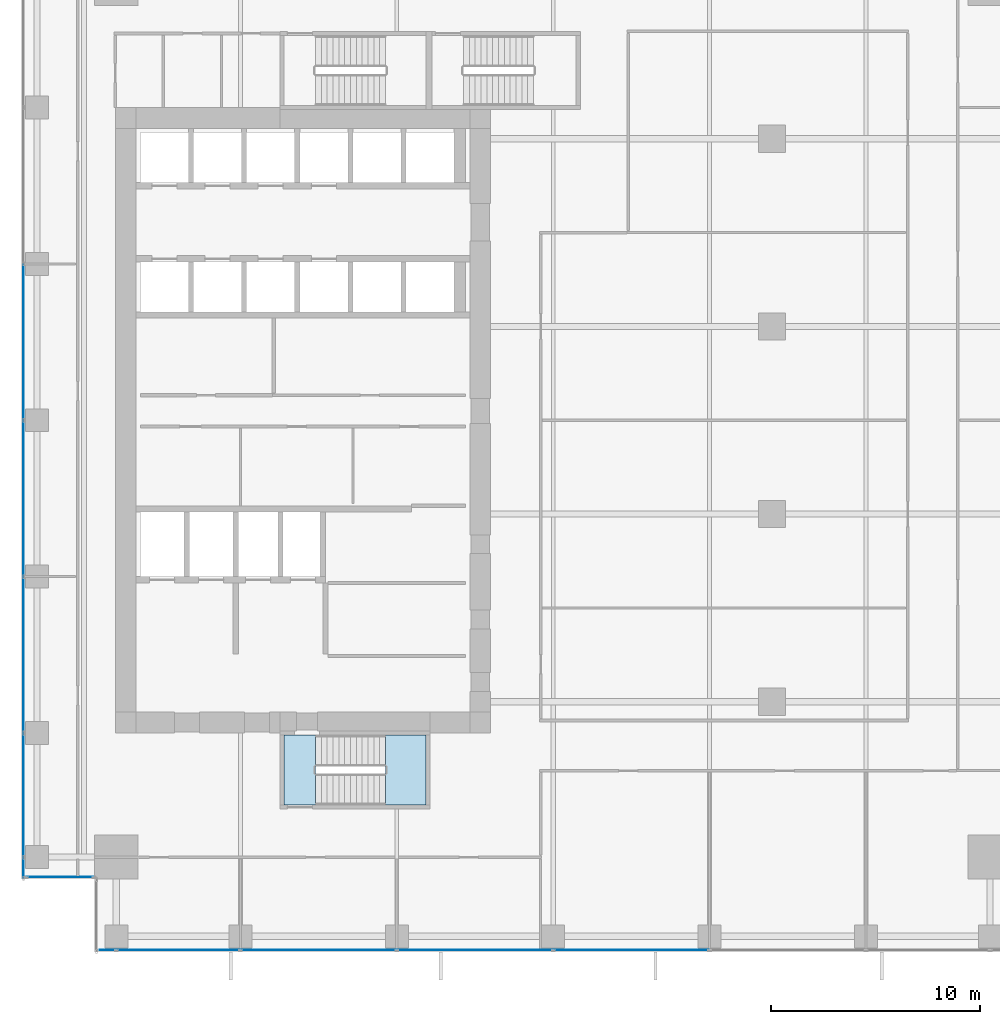
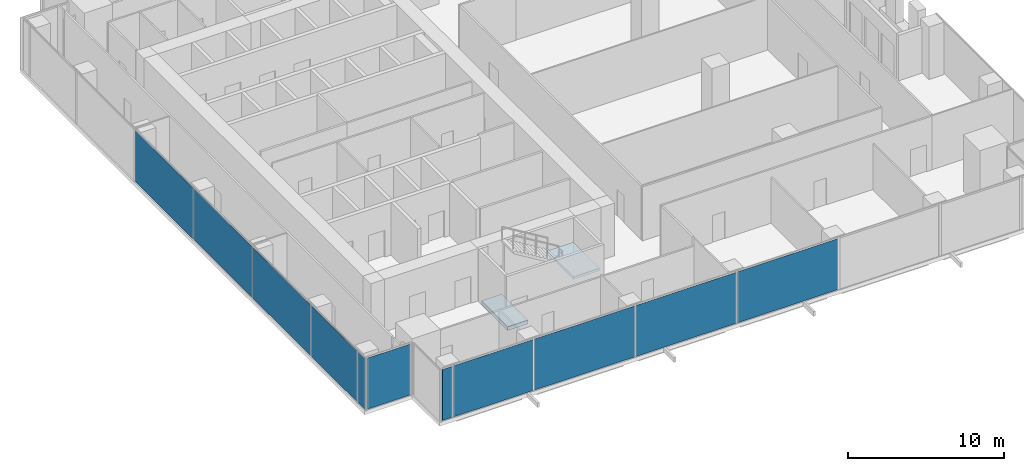
# One storey, part 23 of 34: 11 plates, 2 slabs, 4 elements without a shape of their own.
"""IFC4 building model written with IfcOpenShell, lengths in metres."""

from ifc_helpers import new_model, si_unit, direction, frame, origin, origin_2d, place, context, subcontext, project, spatial, polyline, rectangle, outline, extrude, source, transform, mapped, material, layer, layer_set, type_object, element, aggregate, save


model = new_model("IFC4")

# Units and contexts
model_context = context("Model", 3, precision=1e-05, world=origin(), true_north=direction((0.0, 1.0)))
body_context = subcontext(model_context, "Body", "Model", "MODEL_VIEW")
ifc_project = project(units=[si_unit("LENGTHUNIT", "METRE"), si_unit("AREAUNIT", "SQUARE_METRE"), si_unit("VOLUMEUNIT", "CUBIC_METRE"), si_unit("PLANEANGLEUNIT", "RADIAN"), si_unit("MASSUNIT", "GRAM", prefix="KILO")], contexts=[model_context])

# Site, building, storey
site_placement = place(None, origin())
site = spatial("IfcSite", under=ifc_project, at=site_placement, CompositionType="ELEMENT")
building_placement = place(site_placement, origin())
building = spatial("IfcBuilding", under=site, at=building_placement, Name="Khomas Fold Tower", CompositionType="ELEMENT")
storey_placement = place(building_placement, frame((0.0, 0.0, 110.300048828125)))
storey = spatial("IfcBuildingStorey", under=building, at=storey_placement, Name="L23", CompositionType="ELEMENT", Elevation=110.300048828125)

# Curtain wall, plates
ifc_material_1 = material(Name="Aluminium framed double glazing", Category="aluminium")
curtain_wall_type = type_object("IfcCurtainWallType", Name="SK-Unitised clear-glass wall, growing floors CW1", PredefinedType="NOTDEFINED", material=ifc_material_1)
curtain_wall_1_placement = place(storey_placement, origin())
curtain_wall_1 = element("IfcCurtainWall", 1, at=curtain_wall_1_placement, inside=storey, type_object=curtain_wall_type, Name="CW1 run L23 00-0", PredefinedType="NOTDEFINED")
ifc_material_2 = material(Name="Clear double glazed unit")
ifc_layer_1 = layer(ifc_material_2, 0.031982421875)
ifc_layer_set_1 = layer_set([ifc_layer_1], Name="Clear double glazed unit")
plate_type = type_object("IfcPlateType", Name="SK-Unitised clear-glass wall, growing floors glass panel CW1-P", PredefinedType="CURTAIN_PANEL", material=ifc_layer_set_1)
shared_shape_1 = source(origin(), body_context, "Body", "SweptSolid", [
    extrude(rectangle(XDim=0.760009765625, YDim=0.031982421875, at=origin_2d()), origin(), (0.0, 0.0, 1.0), 3.97998046875),
])
plate_1_placement = place(storey_placement, frame((5.639892578125, 1.60009765625, 0.0), z_axis=(0.0, 0.0, 1.0), x_axis=(1.0, 0.0, 0.0)))
plate_1 = element("IfcPlate", 2, at=plate_1_placement, type_object=plate_type, Name="CW1 glass panel 1", PredefinedType="CURTAIN_PANEL", context=body_context, shape_type="MappedRepresentation", body=[
    mapped(shared_shape_1, transform((0.0, 0.0, 0.0))),
])
shared_shape_2 = source(origin(), body_context, "Body", "SweptSolid", [
    extrude(rectangle(XDim=5.889892578125, YDim=0.031982421875, at=origin_2d()), origin(), (0.0, 0.0, 1.0), 3.97998046875),
])
plate_2_placement = place(storey_placement, frame((9.02490234375, 1.60009765625, 0.0), z_axis=(0.0, 0.0, 1.0), x_axis=(1.0, 0.0, 0.0)))
plate_2 = element("IfcPlate", 3, at=plate_2_placement, type_object=plate_type, Name="CW1 glass panel 2", PredefinedType="CURTAIN_PANEL", context=body_context, shape_type="MappedRepresentation", body=[
    mapped(shared_shape_2, transform((0.0, 0.0, 0.0))),
])

# Curtain wall, plate
curtain_wall_2_placement = place(storey_placement, origin())
curtain_wall_2 = element("IfcCurtainWall", 4, at=curtain_wall_2_placement, inside=storey, type_object=curtain_wall_type, Name="CW1 run L23 09-0", PredefinedType="NOTDEFINED")
plate_3_placement = place(storey_placement, frame((1.60009765625, 9.02490234375, 0.0), z_axis=(0.0, 0.0, 1.0), x_axis=(0.0, -1.0, 0.0)))
plate_3 = element("IfcPlate", 5, at=plate_3_placement, type_object=plate_type, Name="CW1 glass panel 7", PredefinedType="CURTAIN_PANEL", context=body_context, shape_type="MappedRepresentation", body=[
    mapped(shared_shape_2, transform((0.0, 0.0, 0.0))),
])

# Plate
shared_shape_3 = source(origin(), body_context, "Body", "SweptSolid", [
    extrude(rectangle(XDim=7.43994140625, YDim=0.031982421875, at=origin_2d()), origin(), (0.0, 0.0, 1.0), 3.97998046875),
])
plate_4_placement = place(storey_placement, frame((15.75, 1.60009765625, 0.0), z_axis=(0.0, 0.0, 1.0), x_axis=(1.0, 0.0, 0.0)))
plate_4 = element("IfcPlate", 6, at=plate_4_placement, type_object=plate_type, Name="CW1 glass panel 3", PredefinedType="CURTAIN_PANEL", context=body_context, shape_type="MappedRepresentation", body=[
    mapped(shared_shape_3, transform((0.0, 0.0, 0.0))),
])

plate_5_placement = place(storey_placement, frame((23.25, 1.60009765625, 0.0), z_axis=(0.0, 0.0, 1.0), x_axis=(1.0, 0.0, 0.0)))
plate_5 = element("IfcPlate", 7, at=plate_5_placement, type_object=plate_type, Name="CW1 glass panel 4", PredefinedType="CURTAIN_PANEL", context=body_context, shape_type="MappedRepresentation", body=[
    mapped(shared_shape_3, transform((0.0, 0.0, 0.0))),
])

plate_6_placement = place(storey_placement, frame((30.75, 1.60009765625, 0.0), z_axis=(0.0, 0.0, 1.0), x_axis=(1.0, 0.0, 0.0)))
plate_6 = element("IfcPlate", 8, at=plate_6_placement, type_object=plate_type, Name="CW1 glass panel 5", PredefinedType="CURTAIN_PANEL", context=body_context, shape_type="MappedRepresentation", body=[
    mapped(shared_shape_3, transform((0.0, 0.0, 0.0))),
])

aggregate(curtain_wall_1, [plate_1, plate_2, plate_4, plate_5, plate_6])

plate_7_placement = place(storey_placement, frame((1.60009765625, 30.75, 0.0), z_axis=(0.0, 0.0, 1.0), x_axis=(0.0, -1.0, 0.0)))
plate_7 = element("IfcPlate", 9, at=plate_7_placement, type_object=plate_type, Name="CW1 glass panel 4", PredefinedType="CURTAIN_PANEL", context=body_context, shape_type="MappedRepresentation", body=[
    mapped(shared_shape_3, transform((0.0, 0.0, 0.0))),
])

plate_8_placement = place(storey_placement, frame((1.60009765625, 23.25, 0.0), z_axis=(0.0, 0.0, 1.0), x_axis=(0.0, -1.0, 0.0)))
plate_8 = element("IfcPlate", 10, at=plate_8_placement, type_object=plate_type, Name="CW1 glass panel 5", PredefinedType="CURTAIN_PANEL", context=body_context, shape_type="MappedRepresentation", body=[
    mapped(shared_shape_3, transform((0.0, 0.0, 0.0))),
])

plate_9_placement = place(storey_placement, frame((1.60009765625, 15.75, 0.0), z_axis=(0.0, 0.0, 1.0), x_axis=(0.0, -1.0, 0.0)))
plate_9 = element("IfcPlate", 11, at=plate_9_placement, type_object=plate_type, Name="CW1 glass panel 6", PredefinedType="CURTAIN_PANEL", context=body_context, shape_type="MappedRepresentation", body=[
    mapped(shared_shape_3, transform((0.0, 0.0, 0.0))),
])

shared_shape_4 = source(origin(), body_context, "Body", "SweptSolid", [
    extrude(rectangle(XDim=0.9599609375, YDim=0.031982421875, at=origin_2d()), origin(), (0.0, 0.0, 1.0), 3.97998046875),
])
plate_10_placement = place(storey_placement, frame((1.60009765625, 5.5400390625, 0.0), z_axis=(0.0, 0.0, 1.0), x_axis=(0.0, -1.0, 0.0)))
plate_10 = element("IfcPlate", 12, at=plate_10_placement, type_object=plate_type, Name="CW1 glass panel 8", PredefinedType="CURTAIN_PANEL", context=body_context, shape_type="MappedRepresentation", body=[
    mapped(shared_shape_4, transform((0.0, 0.0, 0.0))),
])

aggregate(curtain_wall_2, [plate_7, plate_8, plate_9, plate_3, plate_10])

# Curtain wall, plate
curtain_wall_3_placement = place(storey_placement, origin())
curtain_wall_3 = element("IfcCurtainWall", 13, at=curtain_wall_3_placement, inside=storey, type_object=curtain_wall_type, Name="CW1 corner return L23 10", PredefinedType="NOTDEFINED")
shared_shape_5 = source(origin(), body_context, "Body", "SweptSolid", [
    extrude(rectangle(XDim=3.179931640625, YDim=0.031982421875, at=origin_2d()), origin(), (0.0, 0.0, 1.0), 3.97998046875),
])
plate_11_placement = place(storey_placement, frame((3.35009765625, 5.10009765625, 0.0), z_axis=(0.0, 0.0, 1.0), x_axis=(1.0, 0.0, 0.0)))
plate_11 = element("IfcPlate", 14, at=plate_11_placement, type_object=plate_type, Name="CW1 glass panel 1", PredefinedType="CURTAIN_PANEL", context=body_context, shape_type="MappedRepresentation", body=[
    mapped(shared_shape_5, transform((0.0, 0.0, 0.0))),
])
aggregate(curtain_wall_3, [plate_11])

# Stair, slab
ifc_material_3 = material(Name="Concrete C40/50", Category="concrete")
stair_type = type_object("IfcStairType", Name="Stair ST2", PredefinedType="HALF_TURN_STAIR", material=ifc_material_3)
stair_placement = place(storey_placement, origin())
stair = element("IfcStair", 15, at=stair_placement, inside=storey, type_object=stair_type, Name="L23 ST2", PredefinedType="HALF_TURN_STAIR")
ifc_material_4 = material(Name="Concrete C40/50", Category="concrete")
ifc_layer_2 = layer(ifc_material_4, 0.199951171875)
ifc_layer_set_2 = layer_set([ifc_layer_2], Name="Concrete C40/50")
slab_type_1 = type_object("IfcSlabType", Name="Stair landing 200", PredefinedType="LANDING", material=ifc_layer_set_2)
shared_shape_6 = source(origin(), body_context, "Body", "SweptSolid", [
    extrude(outline(polyline([(18.9599609375, 8.550048828125), (20.89990234375, 8.550048828125), (20.89990234375, 11.89990234375), (18.9599609375, 11.89990234375), (18.9599609375, 8.550048828125)])), origin(), (0.0, 0.0, 1.0), 0.199951171875),
])
slab_1_placement = place(storey_placement, frame((0.0, 0.0, 2.0)))
slab_1 = element("IfcSlab", 16, at=slab_1_placement, type_object=slab_type_1, Name="ST2 landing 1", PredefinedType="LANDING", context=body_context, shape_type="MappedRepresentation", body=[
    mapped(shared_shape_6, transform((0.0, 0.0, 0.0))),
])
aggregate(stair, [slab_1])

# Slab
ifc_material_5 = material(Name="Concrete C40/50", Category="concrete")
ifc_layer_3 = layer(ifc_material_5, 0.300048828125)
ifc_layer_set_3 = layer_set([ifc_layer_3], Name="Concrete C40/50")
slab_type_2 = type_object("IfcSlabType", Name="Stair floor landing 300", PredefinedType="LANDING", material=ifc_layer_set_3)
shared_shape_7 = source(origin(), body_context, "Body", "SweptSolid", [
    extrude(outline(polyline([(15.60009765625, 8.550048828125), (14.10009765625, 8.550048828125), (14.10009765625, 11.89990234375), (15.60009765625, 11.89990234375), (15.60009765625, 8.550048828125)])), origin(), (0.0, 0.0, 1.0), 0.300048828125),
])
slab_2_placement = place(storey_placement, frame((0.0, 0.0, -0.300048828125)))
element("IfcSlab", 17, at=slab_2_placement, inside=storey, type_object=slab_type_2, Name="ST2 floor landing", PredefinedType="LANDING", context=body_context, shape_type="MappedRepresentation", body=[
    mapped(shared_shape_7, transform((0.0, 0.0, 0.0))),
])

save(model, "model.ifc")
